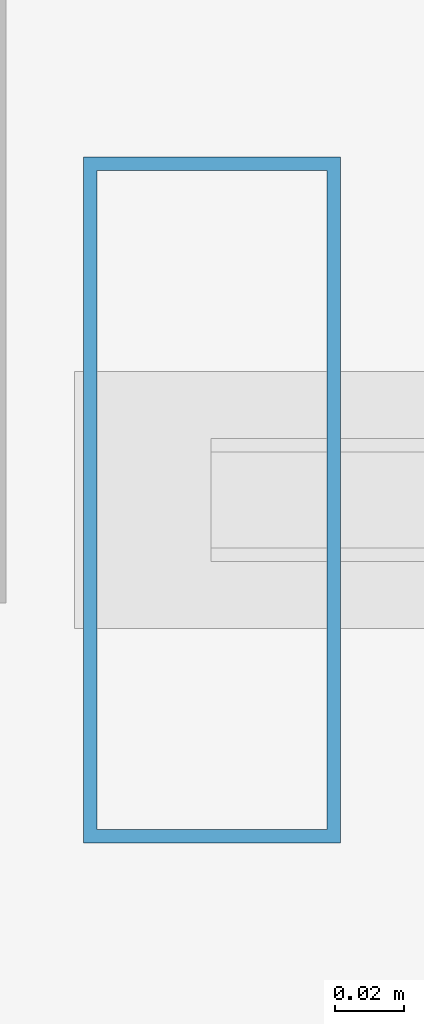
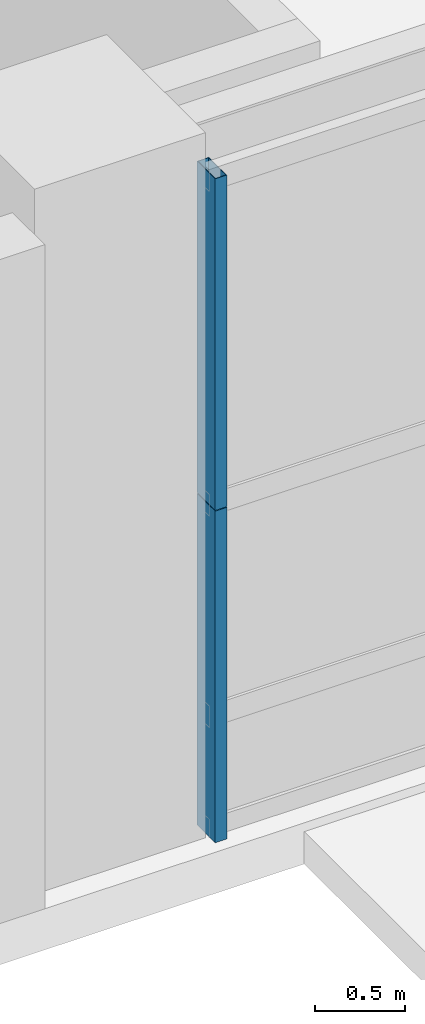
# One storey, part 4 of 37: 2 members, 1 element without a shape of its own.
"""IFC4 building model written with IfcOpenShell, lengths in metres."""

from ifc_helpers import new_model, si_unit, direction, frame, origin, origin_2d, place, context, subcontext, project, spatial, hollow_rectangle, extrude, source, transform, mapped, material, layer, layer_set, material_profile, profile_set, type_object, element, aggregate, save


model = new_model("IFC4")

# Units and contexts
model_context = context("Model", 3, precision=1e-05, world=origin(), true_north=direction((0.0, 1.0)))
body_context = subcontext(model_context, "Body", "Model", "MODEL_VIEW")
ifc_project = project(units=[si_unit("LENGTHUNIT", "METRE"), si_unit("AREAUNIT", "SQUARE_METRE"), si_unit("VOLUMEUNIT", "CUBIC_METRE"), si_unit("PLANEANGLEUNIT", "RADIAN"), si_unit("MASSUNIT", "GRAM", prefix="KILO"), si_unit("THERMODYNAMICTEMPERATUREUNIT", "KELVIN"), si_unit("POWERUNIT", "WATT")], contexts=[model_context])

# Site, building, storey
site_placement = place(None, origin())
site = spatial("IfcSite", under=ifc_project, at=site_placement, CompositionType="ELEMENT")
building_placement = place(site_placement, origin())
building = spatial("IfcBuilding", under=site, at=building_placement, Name="Yuzanri Waterfront Tower", CompositionType="ELEMENT")
storey_placement = place(building_placement, frame((0.0, 0.0, 5.39990234375)))
storey = spatial("IfcBuildingStorey", under=building, at=storey_placement, Name="L02", CompositionType="ELEMENT", Elevation=5.39990234375)

# Curtain wall, members
ifc_material_1 = material(Name="Anodized Architectural Bronze", Category="metal")
ifc_layer = layer(ifc_material_1, 0.159912109375)
ifc_layer_set = layer_set([ifc_layer], Name="Anodized Architectural Bronze")
curtain_wall_type = type_object("IfcCurtainWallType", Name="Anodized Bronze Podium Waterfront Double-Height Unitized Curtain Wall 8400", PredefinedType="NOTDEFINED", material=ifc_layer_set)
curtain_wall_placement = place(storey_placement, origin())
curtain_wall = element("IfcCurtainWall", 1, at=curtain_wall_placement, inside=storey, type_object=curtain_wall_type, Name="L02 Curtain Wall CW-L02-S1", PredefinedType="NOTDEFINED")
ifc_material_2 = material(Name="Anodized Architectural Bronze", Category="metal")
ifc_material_profile = material_profile(ifc_material_2, hollow_rectangle(XDim=0.074951171875, YDim=0.199951171875, WallThickness=0.00390625, at=origin_2d()), Name="CWM 75x200")
ifc_profile_set = profile_set([ifc_material_profile], Name="Anodized Architectural Bronze")
member_type = type_object("IfcMemberType", Name="Anodized Bronze Primary Curtain-Wall Mullion 75x200", PredefinedType="MULLION", material=ifc_profile_set)
shared_shape_1 = source(origin(), body_context, "Body", "SweptSolid", [
    extrude(hollow_rectangle(XDim=0.074951171875, YDim=0.199951171875, WallThickness=0.00390625, at=origin_2d()), origin(), (0.0, 0.0, 1.0), 2.258056640625),
])
member_1_placement = place(storey_placement, frame((16.110107421875, 1.97998046875, 0.0), z_axis=(0.0, 0.0, 1.0), x_axis=(1.0, 0.0, 0.0)))
member_1 = element("IfcMember", 2, at=member_1_placement, type_object=member_type, Name="CW-L02-S1 Lower Mullion 00", PredefinedType="MULLION", context=body_context, shape_type="MappedRepresentation", body=[
    mapped(shared_shape_1, transform((0.0, 0.0, 0.0), scale=1.0)),
])
shared_shape_2 = source(origin(), body_context, "Body", "SweptSolid", [
    extrude(hollow_rectangle(XDim=0.074951171875, YDim=0.199951171875, WallThickness=0.00390625, at=origin_2d()), origin(), (0.0, 0.0, 1.0), 2.2578125),
])
member_2_placement = place(storey_placement, frame((16.110107421875, 1.97998046875, 2.26220703125), z_axis=(0.0, 0.0, 1.0), x_axis=(1.0, 0.0, 0.0)))
member_2 = element("IfcMember", 3, at=member_2_placement, type_object=member_type, Name="CW-L02-S1 Upper Mullion 00", PredefinedType="MULLION", context=body_context, shape_type="MappedRepresentation", body=[
    mapped(shared_shape_2, transform((0.0, 0.0, 0.0), scale=1.0)),
])
aggregate(curtain_wall, [member_1, member_2])

save(model, "model.ifc")
